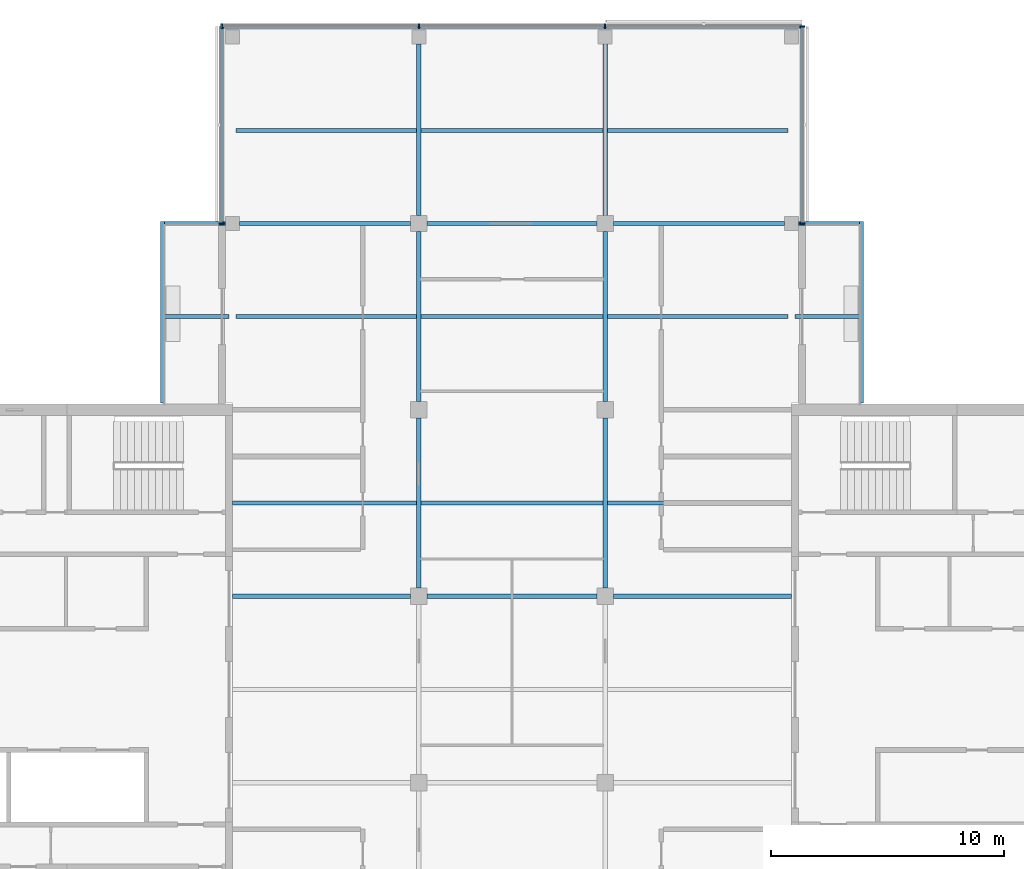
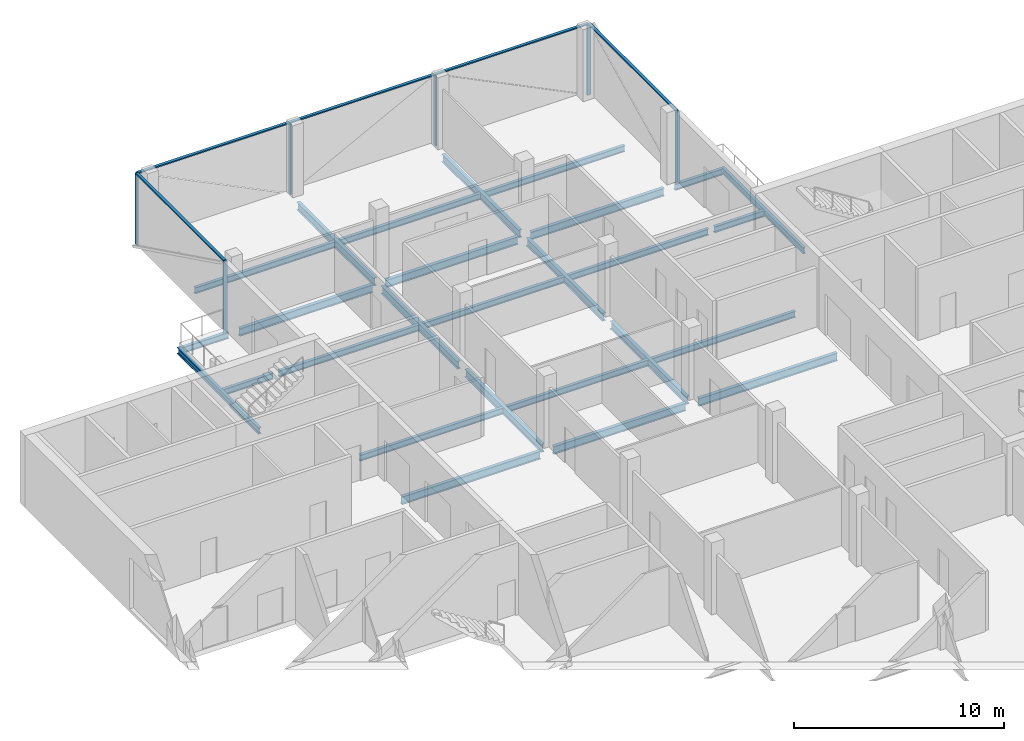
# One storey, part 3 of 12: 27 beams, 9 members, 3 elements without a shape of their own.
"""IFC4 building model written with IfcOpenShell, lengths in metres."""

from ifc_helpers import new_model, si_unit, direction, frame, origin, origin_2d, place, context, subcontext, project, spatial, rectangle, i_section, extrude, material, material_profile, profile_set, type_object, element, aggregate, save


model = new_model("IFC4")

# Units and contexts
model_context = context("Model", 3, precision=1e-05, world=origin(), true_north=direction((0.0, 1.0)))
body_context = subcontext(model_context, "Body", "Model", "MODEL_VIEW")
ifc_project = project(units=[si_unit("LENGTHUNIT", "METRE"), si_unit("AREAUNIT", "SQUARE_METRE"), si_unit("VOLUMEUNIT", "CUBIC_METRE"), si_unit("PLANEANGLEUNIT", "RADIAN"), si_unit("MASSUNIT", "GRAM", prefix="KILO")], contexts=[model_context])

# Site, building, storey
site_placement = place(None, origin())
site = spatial("IfcSite", under=ifc_project, at=site_placement, CompositionType="ELEMENT")
building_placement = place(site_placement, origin())
building = spatial("IfcBuilding", under=site, at=building_placement, Name="Crosswind Convention Tower", CompositionType="ELEMENT")
storey_placement = place(building_placement, frame((0.0, 0.0, 245.10009765625)))
storey = spatial("IfcBuildingStorey", under=building, at=storey_placement, Name="L52", CompositionType="ELEMENT", Elevation=245.10009765625)

# Beams
ifc_material_1 = material(Name="Steel S355", Category="steel")
ifc_material_profile_1 = material_profile(ifc_material_1, i_section(OverallWidth=0.172119140625, OverallDepth=0.358642578125, WebThickness=0.008056640625, FlangeThickness=0.012939453125, FilletRadius=0.01025390625, at=origin_2d()), Name="UB 356x171x57")
ifc_profile_set_1 = profile_set([ifc_material_profile_1], Name="Steel S355")
beam_type_1 = type_object("IfcBeamType", Name="Balcony cantilever UB 356x171x57", PredefinedType="BEAM", material=ifc_profile_set_1)
beam_1_placement = place(storey_placement, frame((137.156982421875, 116.0, -0.4794921875), z_axis=(1.0, 0.0, 0.0), x_axis=(0.0, 1.0, 0.0)))
element("IfcBeam", 1, at=beam_1_placement, inside=storey, type_object=beam_type_1, Name="B34 L52 balcony cantilever NE 1", PredefinedType="BEAM", context=body_context, shape_type="SweptSolid", body=[
    extrude(i_section(OverallWidth=0.172119140625, OverallDepth=0.358642578125, WebThickness=0.008056640625, FlangeThickness=0.012939453125, FilletRadius=0.01025390625, at=origin_2d()), origin(), (0.0, 0.0, 1.0), 2.75732421875),
])
beam_2_placement = place(storey_placement, frame((137.300048828125, 120.0, -0.4794921875), z_axis=(1.0, 0.0, 0.0), x_axis=(0.0, 1.0, 0.0)))
element("IfcBeam", 2, at=beam_2_placement, inside=storey, type_object=beam_type_1, Name="B34 L52 balcony cantilever NE 2", PredefinedType="BEAM", context=body_context, shape_type="SweptSolid", body=[
    extrude(i_section(OverallWidth=0.172119140625, OverallDepth=0.358642578125, WebThickness=0.008056640625, FlangeThickness=0.012939453125, FilletRadius=0.01025390625, at=origin_2d()), origin(), (0.0, 0.0, 1.0), 2.6142578125),
])
beam_3_placement = place(storey_placement, frame((112.843017578125, 116.0, -0.4794921875), z_axis=(-1.0, 0.0, 0.0), x_axis=(0.0, -1.0, 0.0)))
element("IfcBeam", 3, at=beam_3_placement, inside=storey, type_object=beam_type_1, Name="B34 L52 balcony cantilever NW 4", PredefinedType="BEAM", context=body_context, shape_type="SweptSolid", body=[
    extrude(i_section(OverallWidth=0.172119140625, OverallDepth=0.358642578125, WebThickness=0.008056640625, FlangeThickness=0.012939453125, FilletRadius=0.01025390625, at=origin_2d()), origin(), (0.0, 0.0, 1.0), 2.75732421875),
])
beam_4_placement = place(storey_placement, frame((112.699951171875, 120.0, -0.4794921875), z_axis=(-1.0, 0.0, 0.0), x_axis=(0.0, -1.0, 0.0)))
element("IfcBeam", 4, at=beam_4_placement, inside=storey, type_object=beam_type_1, Name="B34 L52 balcony cantilever NW 5", PredefinedType="BEAM", context=body_context, shape_type="SweptSolid", body=[
    extrude(i_section(OverallWidth=0.172119140625, OverallDepth=0.358642578125, WebThickness=0.008056640625, FlangeThickness=0.012939453125, FilletRadius=0.01025390625, at=origin_2d()), origin(), (0.0, 0.0, 1.0), 2.6142578125),
])
ifc_material_profile_2 = material_profile(ifc_material_1, i_section(OverallWidth=0.17138671875, OverallDepth=0.355712890625, WebThickness=0.00732421875, FlangeThickness=0.011474609375, FilletRadius=0.01025390625, at=origin_2d()), Name="UB 356x171x51")
ifc_profile_set_2 = profile_set([ifc_material_profile_2], Name="Steel S355")
beam_type_2 = type_object("IfcBeamType", Name="Balcony edge beam UB 356x171x51", PredefinedType="BEAM", material=ifc_profile_set_2)
for number, where, z_axis, x_axis, name in (
    (5, (140.0, 112.300048828125, -0.477783203125), (0.0, 1.0, 0.0), (-1.0, 0.0, 0.0), "B38 L52 balcony edge beam NE 3"),
    (6, (110.0, 112.300048828125, -0.477783203125), (0.0, 1.0, 0.0), (-1.0, 0.0, 0.0), "B38 L52 balcony edge beam NW 6"),
):
    element("IfcBeam", number, at=place(storey_placement, frame(where, z_axis=z_axis, x_axis=x_axis)), inside=storey, type_object=beam_type_2, Name=name, PredefinedType="BEAM", context=body_context, shape_type="SweptSolid", body=[
        extrude(i_section(OverallWidth=0.17138671875, OverallDepth=0.355712890625, WebThickness=0.00732421875, FlangeThickness=0.011474609375, FilletRadius=0.01025390625, at=origin_2d()), origin(), (0.0, 0.0, 1.0), 7.785888671875),
    ])
ifc_material_profile_3 = material_profile(ifc_material_1, i_section(OverallWidth=0.18994140625, OverallDepth=0.45361328125, WebThickness=0.008544921875, FlangeThickness=0.0126953125, FilletRadius=0.01025390625, at=origin_2d()), Name="UB 457x191x67")
ifc_profile_set_3 = profile_set([ifc_material_profile_3], Name="Steel S355")
beam_type_3 = type_object("IfcBeamType", Name="Girder UB 457x191x67", PredefinedType="BEAM", material=ifc_profile_set_3)
beam_5_placement = place(storey_placement, frame((113.300048828125, 120.0, -0.52685546875), z_axis=(1.0, 0.0, 0.0), x_axis=(0.0, 1.0, 0.0)))
element("IfcBeam", 7, at=beam_5_placement, inside=storey, type_object=beam_type_3, Name="B1 L52 girder 2", PredefinedType="BEAM", context=body_context, shape_type="SweptSolid", body=[
    extrude(i_section(OverallWidth=0.18994140625, OverallDepth=0.45361328125, WebThickness=0.008544921875, FlangeThickness=0.0126953125, FilletRadius=0.01025390625, at=origin_2d()), origin(), (0.0, 0.0, 1.0), 7.349853515625),
])
for number, where, z_axis, x_axis, name in (
    (8, (121.0, 104.35009765625, -0.52685546875), (0.0, 1.0, 0.0), (-1.0, 0.0, 0.0), "B1 L52 girder 7"),
    (9, (121.0, 112.35009765625, -0.52685546875), (0.0, 1.0, 0.0), (-1.0, 0.0, 0.0), "B1 L52 girder 8"),
):
    element("IfcBeam", number, at=place(storey_placement, frame(where, z_axis=z_axis, x_axis=x_axis)), inside=storey, type_object=beam_type_3, Name=name, PredefinedType="BEAM", context=body_context, shape_type="SweptSolid", body=[
        extrude(i_section(OverallWidth=0.18994140625, OverallDepth=0.45361328125, WebThickness=0.008544921875, FlangeThickness=0.0126953125, FilletRadius=0.01025390625, at=origin_2d()), origin(), (0.0, 0.0, 1.0), 7.2998046875),
    ])
beam_6_placement = place(storey_placement, frame((121.0, 120.35009765625, -0.52685546875), z_axis=(0.0, 1.0, 0.0), x_axis=(-1.0, 0.0, 0.0)))
element("IfcBeam", 10, at=beam_6_placement, inside=storey, type_object=beam_type_3, Name="B1 L52 girder 9", PredefinedType="BEAM", context=body_context, shape_type="SweptSolid", body=[
    extrude(i_section(OverallWidth=0.18994140625, OverallDepth=0.45361328125, WebThickness=0.008544921875, FlangeThickness=0.0126953125, FilletRadius=0.01025390625, at=origin_2d()), origin(), (0.0, 0.0, 1.0), 7.349853515625),
])
for number, where, z_axis, x_axis, name in (
    (11, (121.35009765625, 104.0, -0.52685546875), (1.0, 0.0, 0.0), (0.0, 1.0, 0.0), "B1 L52 girder 12"),
    (12, (121.35009765625, 120.0, -0.52685546875), (1.0, 0.0, 0.0), (0.0, 1.0, 0.0), "B1 L52 girder 13"),
    (13, (129.0, 104.35009765625, -0.52685546875), (0.0, 1.0, 0.0), (-1.0, 0.0, 0.0), "B1 L52 girder 18"),
    (14, (129.0, 112.35009765625, -0.52685546875), (0.0, 1.0, 0.0), (-1.0, 0.0, 0.0), "B1 L52 girder 19"),
):
    element("IfcBeam", number, at=place(storey_placement, frame(where, z_axis=z_axis, x_axis=x_axis)), inside=storey, type_object=beam_type_3, Name=name, PredefinedType="BEAM", context=body_context, shape_type="SweptSolid", body=[
        extrude(i_section(OverallWidth=0.18994140625, OverallDepth=0.45361328125, WebThickness=0.008544921875, FlangeThickness=0.0126953125, FilletRadius=0.01025390625, at=origin_2d()), origin(), (0.0, 0.0, 1.0), 7.2998046875),
    ])
for number, where, z_axis, x_axis, name in (
    (15, (129.0, 120.35009765625, -0.52685546875), (0.0, 1.0, 0.0), (-1.0, 0.0, 0.0), "B1 L52 girder 20"),
    (16, (129.35009765625, 120.0, -0.52685546875), (1.0, 0.0, 0.0), (0.0, 1.0, 0.0), "B1 L52 girder 22"),
):
    element("IfcBeam", number, at=place(storey_placement, frame(where, z_axis=z_axis, x_axis=x_axis)), inside=storey, type_object=beam_type_3, Name=name, PredefinedType="BEAM", context=body_context, shape_type="SweptSolid", body=[
        extrude(i_section(OverallWidth=0.18994140625, OverallDepth=0.45361328125, WebThickness=0.008544921875, FlangeThickness=0.0126953125, FilletRadius=0.01025390625, at=origin_2d()), origin(), (0.0, 0.0, 1.0), 7.349853515625),
    ])
ifc_material_profile_4 = material_profile(ifc_material_1, i_section(OverallWidth=0.1904296875, OverallDepth=0.457275390625, WebThickness=0.009033203125, FlangeThickness=0.014404296875, FilletRadius=0.01025390625, at=origin_2d()), Name="UB 457x191x75")
ifc_profile_set_4 = profile_set([ifc_material_profile_4], Name="Steel S355")
beam_type_4 = type_object("IfcBeamType", Name="Girder at core wall UB 457x191x75", PredefinedType="BEAM", material=ifc_profile_set_4)
for number, where, z_axis, x_axis, name in (
    (17, (113.0, 104.0, -0.52880859375), (1.0, 0.0, 0.0), (0.0, 1.0, 0.0), "B22 L52 girder at core wall 2"),
    (18, (129.35009765625, 104.0, -0.52880859375), (1.0, 0.0, 0.0), (0.0, 1.0, 0.0), "B22 L52 girder at core wall 4"),
):
    element("IfcBeam", number, at=place(storey_placement, frame(where, z_axis=z_axis, x_axis=x_axis)), inside=storey, type_object=beam_type_4, Name=name, PredefinedType="BEAM", context=body_context, shape_type="SweptSolid", body=[
        extrude(i_section(OverallWidth=0.1904296875, OverallDepth=0.457275390625, WebThickness=0.009033203125, FlangeThickness=0.014404296875, FilletRadius=0.01025390625, at=origin_2d()), origin(), (0.0, 0.0, 1.0), 7.64990234375),
    ])

# Curtain wall, members
ifc_material_2 = material(Name="Aluminium unitised curtain wall", Category="aluminium")
curtain_wall_type = type_object("IfcCurtainWallType", Name="OFFICE UNITISED WALL 220", PredefinedType="USERDEFINED", material=ifc_material_2)
curtain_wall_1_placement = place(storey_placement, origin())
curtain_wall_1 = element("IfcCurtainWall", 19, at=curtain_wall_1_placement, inside=storey, type_object=curtain_wall_type, Name="CW3 L52 N-E 1", ObjectType="UNITISED", PredefinedType="USERDEFINED")
ifc_material_3 = material(Name="Aluminium mullion", Category="aluminium")
ifc_material_profile_5 = material_profile(ifc_material_3, rectangle(XDim=0.219970703125, YDim=0.070068359375, at=origin_2d()), Name="AL 220X70")
ifc_profile_set_5 = profile_set([ifc_material_profile_5], Name="Aluminium mullion")
member_type_1 = type_object("IfcMemberType", Name="MULLION 70X220", PredefinedType="MULLION", material=ifc_profile_set_5)
member_1_placement = place(storey_placement, frame((137.4599609375, 120.0, -0.300048828125), z_axis=(0.0, 0.0, 1.0), x_axis=(1.0, 0.0, 0.0)))
member_1 = element("IfcMember", 20, at=member_1_placement, type_object=member_type_1, Name="CW3 mullion 1", PredefinedType="MULLION", context=body_context, shape_type="SweptSolid", body=[
    extrude(rectangle(XDim=0.219970703125, YDim=0.070068359375, at=origin_2d()), origin(), (0.0, 0.0, 1.0), 4.1298828125),
])
member_2_placement = place(storey_placement, frame((137.4599609375, 128.4599609375, -0.300048828125), z_axis=(0.0, 0.0, 1.0), x_axis=(1.0, 0.0, 0.0)))
member_2 = element("IfcMember", 21, at=member_2_placement, type_object=member_type_1, Name="CW3 mullion 2", PredefinedType="MULLION", context=body_context, shape_type="SweptSolid", body=[
    extrude(rectangle(XDim=0.219970703125, YDim=0.070068359375, at=origin_2d()), origin(), (0.0, 0.0, 1.0), 4.1298828125),
])

curtain_wall_2_placement = place(storey_placement, origin())
curtain_wall_2 = element("IfcCurtainWall", 22, at=curtain_wall_2_placement, inside=storey, type_object=curtain_wall_type, Name="CW3 L52 N-TIP 1", ObjectType="UNITISED", PredefinedType="USERDEFINED")
member_3_placement = place(storey_placement, frame((129.0, 128.4599609375, -0.300048828125), z_axis=(0.0, 0.0, 1.0), x_axis=(0.0, 1.0, 0.0)))
member_3 = element("IfcMember", 23, at=member_3_placement, type_object=member_type_1, Name="CW3 mullion 2", PredefinedType="MULLION", context=body_context, shape_type="SweptSolid", body=[
    extrude(rectangle(XDim=0.219970703125, YDim=0.070068359375, at=origin_2d()), origin(), (0.0, 0.0, 1.0), 4.1298828125),
])
member_4_placement = place(storey_placement, frame((121.0, 128.4599609375, -0.300048828125), z_axis=(0.0, 0.0, 1.0), x_axis=(0.0, 1.0, 0.0)))
member_4 = element("IfcMember", 24, at=member_4_placement, type_object=member_type_1, Name="CW3 mullion 3", PredefinedType="MULLION", context=body_context, shape_type="SweptSolid", body=[
    extrude(rectangle(XDim=0.219970703125, YDim=0.070068359375, at=origin_2d()), origin(), (0.0, 0.0, 1.0), 4.1298828125),
])
member_5_placement = place(storey_placement, frame((112.5400390625, 128.4599609375, -0.300048828125), z_axis=(0.0, 0.0, 1.0), x_axis=(0.0, 1.0, 0.0)))
member_5 = element("IfcMember", 25, at=member_5_placement, type_object=member_type_1, Name="CW3 mullion 4", PredefinedType="MULLION", context=body_context, shape_type="SweptSolid", body=[
    extrude(rectangle(XDim=0.219970703125, YDim=0.070068359375, at=origin_2d()), origin(), (0.0, 0.0, 1.0), 4.1298828125),
])

# Curtain wall, member
curtain_wall_3_placement = place(storey_placement, origin())
curtain_wall_3 = element("IfcCurtainWall", 26, at=curtain_wall_3_placement, inside=storey, type_object=curtain_wall_type, Name="CW3 L52 N-W 1", ObjectType="UNITISED", PredefinedType="USERDEFINED")
member_6_placement = place(storey_placement, frame((112.5400390625, 120.0, -0.300048828125), z_axis=(0.0, 0.0, 1.0), x_axis=(-1.0, 0.0, 0.0)))
member_6 = element("IfcMember", 27, at=member_6_placement, type_object=member_type_1, Name="CW3 mullion 2", PredefinedType="MULLION", context=body_context, shape_type="SweptSolid", body=[
    extrude(rectangle(XDim=0.219970703125, YDim=0.070068359375, at=origin_2d()), origin(), (0.0, 0.0, 1.0), 4.1298828125),
])

# Beams
ifc_material_profile_6 = material_profile(ifc_material_1, i_section(OverallWidth=0.17138671875, OverallDepth=0.355712890625, WebThickness=0.00732421875, FlangeThickness=0.011474609375, FilletRadius=0.01025390625, at=origin_2d()), Name="UB 356x171x51")
ifc_profile_set_6 = profile_set([ifc_material_profile_6], Name="Steel S355")
beam_type_5 = type_object("IfcBeamType", Name="Secondary beam UB 356x171x51", PredefinedType="JOIST", material=ifc_profile_set_6)
beam_7_placement = place(storey_placement, frame((113.0, 108.0, -0.477783203125), z_axis=(1.0, 0.0, 0.0), x_axis=(0.0, 1.0, 0.0)))
element("IfcBeam", 28, at=beam_7_placement, inside=storey, type_object=beam_type_5, Name="B8 L52 secondary beam 3", PredefinedType="JOIST", context=body_context, shape_type="SweptSolid", body=[
    extrude(i_section(OverallWidth=0.17138671875, OverallDepth=0.355712890625, WebThickness=0.00732421875, FlangeThickness=0.011474609375, FilletRadius=0.01025390625, at=origin_2d()), origin(), (0.0, 0.0, 1.0), 7.905029296875),
])
for number, where, z_axis, x_axis, name in (
    (29, (113.156982421875, 116.0, -0.477783203125), (1.0, 0.0, 0.0), (0.0, 1.0, 0.0), "B8 L52 secondary beam 6"),
    (30, (113.156982421875, 124.0, -0.477783203125), (1.0, 0.0, 0.0), (0.0, 1.0, 0.0), "B8 L52 secondary beam 7"),
):
    element("IfcBeam", number, at=place(storey_placement, frame(where, z_axis=z_axis, x_axis=x_axis)), inside=storey, type_object=beam_type_5, Name=name, PredefinedType="JOIST", context=body_context, shape_type="SweptSolid", body=[
        extrude(i_section(OverallWidth=0.17138671875, OverallDepth=0.355712890625, WebThickness=0.00732421875, FlangeThickness=0.011474609375, FilletRadius=0.01025390625, at=origin_2d()), origin(), (0.0, 0.0, 1.0), 7.748046875),
    ])
for number, where, z_axis, x_axis, name in (
    (31, (121.094970703125, 108.0, -0.477783203125), (1.0, 0.0, 0.0), (0.0, 1.0, 0.0), "B8 L52 secondary beam 12"),
    (32, (121.094970703125, 116.0, -0.477783203125), (1.0, 0.0, 0.0), (0.0, 1.0, 0.0), "B8 L52 secondary beam 13"),
    (33, (121.094970703125, 124.0, -0.477783203125), (1.0, 0.0, 0.0), (0.0, 1.0, 0.0), "B8 L52 secondary beam 14"),
):
    element("IfcBeam", number, at=place(storey_placement, frame(where, z_axis=z_axis, x_axis=x_axis)), inside=storey, type_object=beam_type_5, Name=name, PredefinedType="JOIST", context=body_context, shape_type="SweptSolid", body=[
        extrude(i_section(OverallWidth=0.17138671875, OverallDepth=0.355712890625, WebThickness=0.00732421875, FlangeThickness=0.011474609375, FilletRadius=0.01025390625, at=origin_2d()), origin(), (0.0, 0.0, 1.0), 7.81005859375),
    ])
beam_8_placement = place(storey_placement, frame((129.094970703125, 108.0, -0.477783203125), z_axis=(1.0, 0.0, 0.0), x_axis=(0.0, 1.0, 0.0)))
element("IfcBeam", 34, at=beam_8_placement, inside=storey, type_object=beam_type_5, Name="B8 L52 secondary beam 19", PredefinedType="JOIST", context=body_context, shape_type="SweptSolid", body=[
    extrude(i_section(OverallWidth=0.17138671875, OverallDepth=0.355712890625, WebThickness=0.00732421875, FlangeThickness=0.011474609375, FilletRadius=0.01025390625, at=origin_2d()), origin(), (0.0, 0.0, 1.0), 7.905029296875),
])
for number, where, z_axis, x_axis, name in (
    (35, (129.094970703125, 116.0, -0.477783203125), (1.0, 0.0, 0.0), (0.0, 1.0, 0.0), "B8 L52 secondary beam 20"),
    (36, (129.094970703125, 124.0, -0.477783203125), (1.0, 0.0, 0.0), (0.0, 1.0, 0.0), "B8 L52 secondary beam 21"),
):
    element("IfcBeam", number, at=place(storey_placement, frame(where, z_axis=z_axis, x_axis=x_axis)), inside=storey, type_object=beam_type_5, Name=name, PredefinedType="JOIST", context=body_context, shape_type="SweptSolid", body=[
        extrude(i_section(OverallWidth=0.17138671875, OverallDepth=0.355712890625, WebThickness=0.00732421875, FlangeThickness=0.011474609375, FilletRadius=0.01025390625, at=origin_2d()), origin(), (0.0, 0.0, 1.0), 7.748046875),
    ])

# Member
ifc_material_4 = material(Name="Aluminium transom", Category="aluminium")
ifc_material_profile_7 = material_profile(ifc_material_4, rectangle(XDim=0.159912109375, YDim=0.070068359375, at=origin_2d()), Name="AL 160X70")
ifc_profile_set_7 = profile_set([ifc_material_profile_7], Name="Aluminium transom")
member_type_2 = type_object("IfcMemberType", Name="TRANSOM 70X160", PredefinedType="USERDEFINED", material=ifc_profile_set_7)
member_7_placement = place(storey_placement, frame((137.4599609375, 120.034912109375, 3.864990234375), z_axis=(0.0, 1.0, 0.0), x_axis=(-1.0, 0.0, 0.0)))
member_7 = element("IfcMember", 37, at=member_7_placement, type_object=member_type_2, Name="CW3 transom", ObjectType="TRANSOM", PredefinedType="USERDEFINED", context=body_context, shape_type="SweptSolid", body=[
    extrude(rectangle(XDim=0.159912109375, YDim=0.070068359375, at=origin_2d()), origin(), (0.0, 0.0, 1.0), 8.39013671875),
])

aggregate(curtain_wall_1, [member_1, member_2, member_7])

member_8_placement = place(storey_placement, frame((137.425048828125, 128.4599609375, 3.864990234375), z_axis=(-1.0, 0.0, 0.0), x_axis=(0.0, -1.0, 0.0)))
member_8 = element("IfcMember", 38, at=member_8_placement, type_object=member_type_2, Name="CW3 transom", ObjectType="TRANSOM", PredefinedType="USERDEFINED", context=body_context, shape_type="SweptSolid", body=[
    extrude(rectangle(XDim=0.159912109375, YDim=0.070068359375, at=origin_2d()), origin(), (0.0, 0.0, 1.0), 24.85009765625),
])

aggregate(curtain_wall_2, [member_3, member_4, member_5, member_8])

member_9_placement = place(storey_placement, frame((112.5400390625, 128.425048828125, 3.864990234375), z_axis=(0.0, -1.0, 0.0), x_axis=(1.0, 0.0, 0.0)))
member_9 = element("IfcMember", 39, at=member_9_placement, type_object=member_type_2, Name="CW3 transom", ObjectType="TRANSOM", PredefinedType="USERDEFINED", context=body_context, shape_type="SweptSolid", body=[
    extrude(rectangle(XDim=0.159912109375, YDim=0.070068359375, at=origin_2d()), origin(), (0.0, 0.0, 1.0), 8.39013671875),
])

aggregate(curtain_wall_3, [member_6, member_9])

save(model, "model.ifc")
